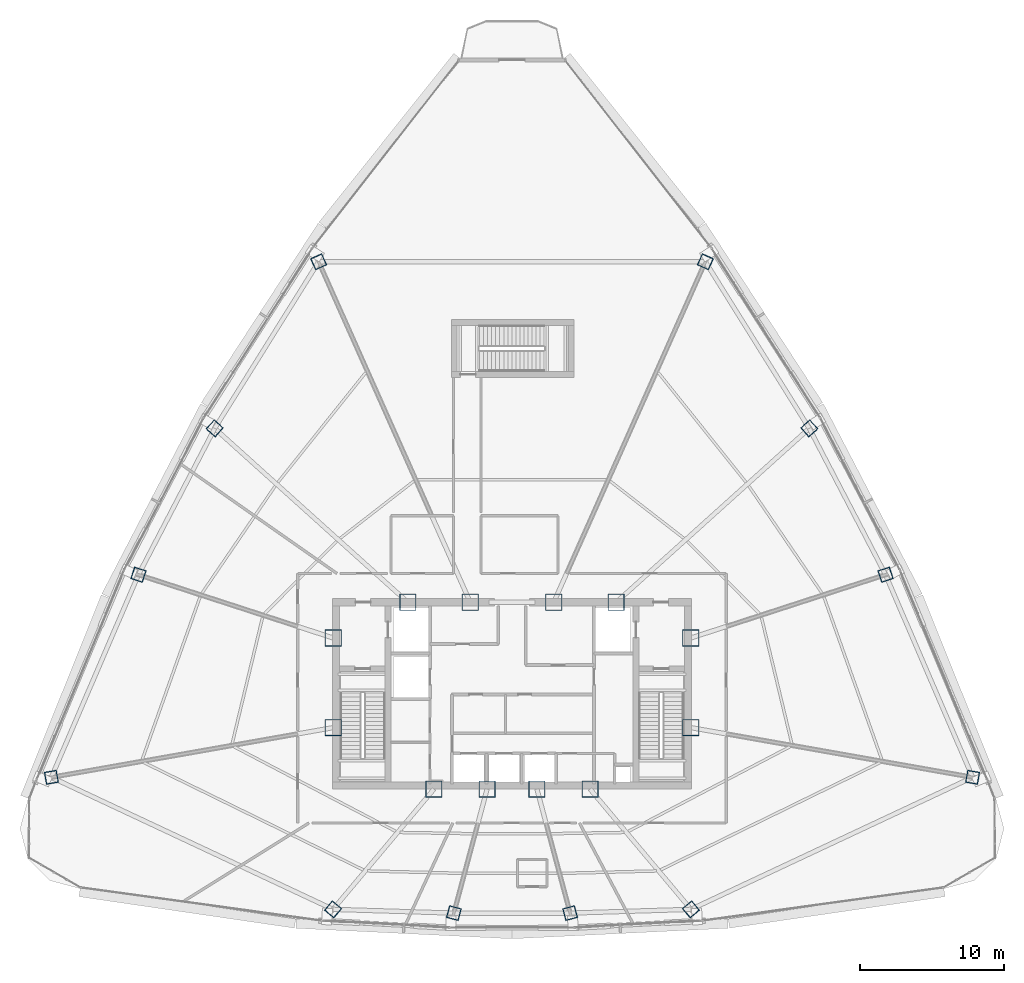
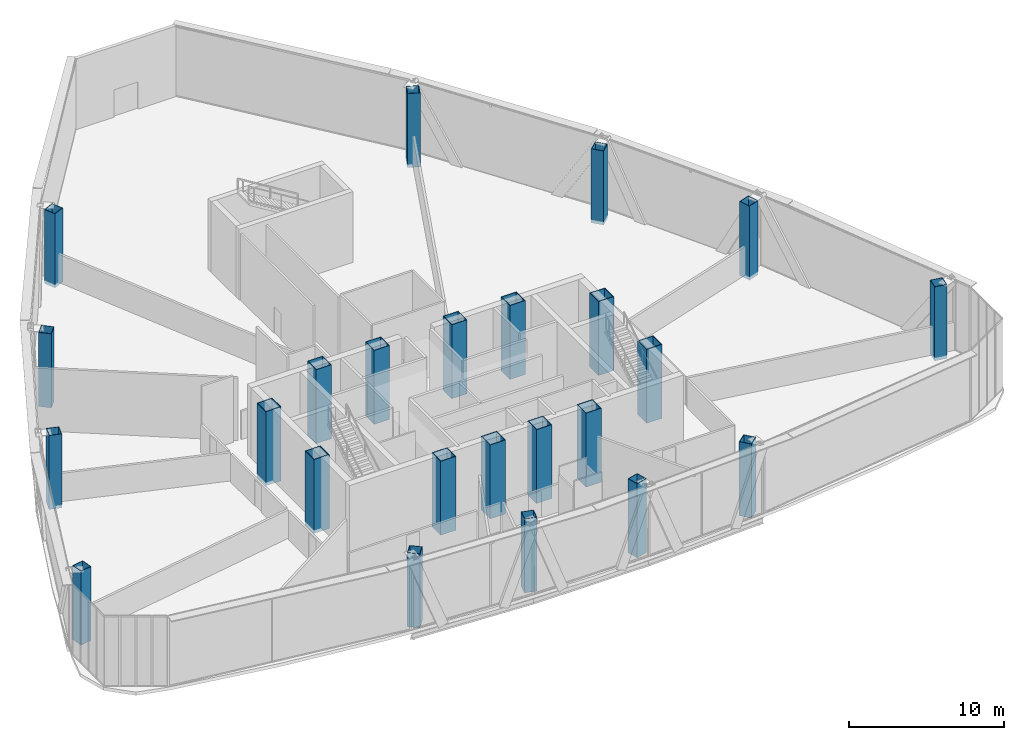
# One storey, part 1 of 38: 24 columns.
"""IFC4 building model written with IfcOpenShell, lengths in metres."""

from ifc_helpers import new_model, si_unit, direction, frame, origin, origin_2d, place, context, subcontext, project, spatial, hollow_rectangle, extrude, source, transform, mapped, material, material_profile, profile_set, type_object, element, save


model = new_model("IFC4")

# Units and contexts
model_context = context("Model", 3, precision=1e-05, world=origin(), true_north=direction((0.0, 1.0)))
body_context = subcontext(model_context, "Body", "Model", "MODEL_VIEW")
ifc_project = project(units=[si_unit("LENGTHUNIT", "METRE"), si_unit("AREAUNIT", "SQUARE_METRE"), si_unit("VOLUMEUNIT", "CUBIC_METRE"), si_unit("PLANEANGLEUNIT", "RADIAN"), si_unit("MASSUNIT", "GRAM", prefix="KILO"), si_unit("THERMODYNAMICTEMPERATUREUNIT", "KELVIN"), si_unit("POWERUNIT", "WATT")], contexts=[model_context])

# Site, building, storey
site_placement = place(None, origin())
site = spatial("IfcSite", under=ifc_project, at=site_placement, CompositionType="ELEMENT")
building_placement = place(site_placement, origin())
building = spatial("IfcBuilding", under=site, at=building_placement, Name="Yunzhuo Pagoda Commons", CompositionType="ELEMENT")
storey_placement = place(building_placement, frame((0.0, 0.0, 266.909912109375)))
storey = spatial("IfcBuildingStorey", under=building, at=storey_placement, Name="L67", CompositionType="ELEMENT", Elevation=266.909912109375)

# Columns
ifc_material_1 = material(Name="Structural steel Q420B", Category="steel")
ifc_material_profile_1 = material_profile(ifc_material_1, hollow_rectangle(XDim=1.14990234375, YDim=1.14990234375, WallThickness=0.048095703125, at=origin_2d()), Name="Structural steel Q420B")
ifc_profile_set_1 = profile_set([ifc_material_profile_1], Name="Structural steel Q420B")
column_type_1 = type_object("IfcColumnType", Name="C-COR Column BOX 1150x1150x48", PredefinedType="COLUMN", material=ifc_profile_set_1)
shared_shape_1 = source(origin(), body_context, "Body", "SweptSolid", [
    extrude(hollow_rectangle(XDim=1.14990234375, YDim=1.14990234375, WallThickness=0.048095703125, at=origin_2d()), origin(), (0.0, 0.0, 1.0), 5.830322265625),
])
for number, where, z_axis, x_axis, name in (
    (1, (42.587890625, 27.25, -0.260009765625), (0.0, 0.0, 1.0), (1.0, 0.0, 0.0), "L67 core composite column F1C1"),
    (2, (46.27197265625, 27.25, -0.260009765625), (0.0, 0.0, 1.0), (1.0, 0.0, 0.0), "L67 core composite column F1C2"),
    (3, (49.728515625, 27.25, -0.260009765625), (0.0, 0.0, 1.0), (1.0, 0.0, 0.0), "L67 core composite column F1C3"),
    (4, (53.412109375, 27.25, -0.260009765625), (0.0, 0.0, 1.0), (1.0, 0.0, 0.0), "L67 core composite column F1C4"),
    (5, (60.39990234375, 31.513427734375, -0.260009765625), (0.0, 0.0, 1.0), (1.0, 0.0, 0.0), "L67 core composite column F2C1"),
    (6, (60.39990234375, 37.72900390625, -0.260009765625), (0.0, 0.0, 1.0), (1.0, 0.0, 0.0), "L67 core composite column F2C2"),
    (7, (55.218994140625, 40.199951171875, -0.260009765625), (0.0, 0.0, 1.0), (1.0, 0.0, 0.0), "L67 core composite column F2C3"),
    (8, (50.89404296875, 40.199951171875, -0.260009765625), (0.0, 0.0, 1.0), (1.0, 0.0, 0.0), "L67 core composite column F2C4"),
    (9, (45.10595703125, 40.199951171875, -0.260009765625), (0.0, 0.0, 1.0), (1.0, 0.0, 0.0), "L67 core composite column F3C1"),
    (10, (40.781005859375, 40.199951171875, -0.260009765625), (0.0, 0.0, 1.0), (1.0, 0.0, 0.0), "L67 core composite column F3C2"),
    (11, (35.60009765625, 37.72900390625, -0.260009765625), (0.0, 0.0, 1.0), (1.0, 0.0, 0.0), "L67 core composite column F3C3"),
    (12, (35.60009765625, 31.513427734375, -0.260009765625), (0.0, 0.0, 1.0), (1.0, 0.0, 0.0), "L67 core composite column F3C4"),
):
    element("IfcColumn", number, at=place(storey_placement, frame(where, z_axis=z_axis, x_axis=x_axis)), inside=storey, type_object=column_type_1, Name=name, PredefinedType="COLUMN", context=body_context, shape_type="MappedRepresentation", body=[
        mapped(shared_shape_1, transform((0.0, 0.0, 0.0), scale=1.0)),
    ])
ifc_material_2 = material(Name="Structural steel Q355B", Category="steel")
ifc_material_profile_2 = material_profile(ifc_material_2, hollow_rectangle(XDim=0.85009765625, YDim=0.85009765625, WallThickness=0.033935546875, at=origin_2d()), Name="Structural steel Q355B")
ifc_profile_set_2 = profile_set([ifc_material_profile_2], Name="Structural steel Q355B")
column_type_2 = type_object("IfcColumnType", Name="C-Z5 Column BOX 850x850x34", PredefinedType="COLUMN", material=ifc_profile_set_2)
shared_shape_2 = source(origin(), body_context, "Body", "SweptSolid", [
    extrude(hollow_rectangle(XDim=0.85009765625, YDim=0.85009765625, WallThickness=0.033935546875, at=origin_2d()), origin(), (0.0, 0.0, 1.0), 5.830322265625),
])
for number, where, z_axis, x_axis, name in (
    (13, (35.593017578125, 18.913818359375, -0.260009765625), (0.0, 0.0, 1.0), (0.766044443119, -0.642787609687, 0.0), "L67 tower column F1C1"),
    (14, (43.968505859375, 18.654052734375, -0.260009765625), (0.0, 0.0, 1.0), (0.965925826289, -0.258819045103, 0.0), "L67 tower column F1C2"),
    (15, (52.031494140625, 18.654052734375, -0.260009765625), (0.0, 0.0, 1.0), (0.965925826289, 0.258819045103, 0.0), "L67 tower column F1C3"),
    (16, (60.406982421875, 18.913818359375, -0.260009765625), (0.0, 0.0, 1.0), (0.766044443119, 0.642787609687, 0.0), "L67 tower column F1C4"),
    (17, (79.93408203125, 28.069091796875, -0.260009765625), (0.0, 0.0, 1.0), (0.173648177667, 0.984807753012, 0.0), "L67 tower column F2C1"),
    (18, (73.898681640625, 42.114990234375, -0.260009765625), (0.0, 0.0, 1.0), (-0.309016994375, 0.951056516295, 0.0), "L67 tower column F2C2"),
    (19, (68.61181640625, 52.259033203125, -0.260009765625), (0.0, 0.0, 1.0), (-0.669130606359, 0.743144825477, 0.0), "L67 tower column F2C3"),
    (20, (61.40673828125, 63.81201171875, -0.260009765625), (0.0, 0.0, 1.0), (-0.913545457643, 0.406736643076, 0.0), "L67 tower column F2C4"),
    (21, (34.59326171875, 63.81201171875, -0.260009765625), (0.0, 0.0, 1.0), (-0.913545457643, -0.406736643076, 0.0), "L67 tower column F3C1"),
    (22, (27.38818359375, 52.259033203125, -0.260009765625), (0.0, 0.0, 1.0), (-0.669130606359, -0.743144825477, 0.0), "L67 tower column F3C2"),
    (23, (22.101806640625, 42.114990234375, -0.260009765625), (0.0, 0.0, 1.0), (-0.309016994375, -0.951056516295, 0.0), "L67 tower column F3C3"),
    (24, (16.06591796875, 28.069091796875, -0.260009765625), (0.0, 0.0, 1.0), (0.173648177667, -0.984807753012, 0.0), "L67 tower column F3C4"),
):
    element("IfcColumn", number, at=place(storey_placement, frame(where, z_axis=z_axis, x_axis=x_axis)), inside=storey, type_object=column_type_2, Name=name, PredefinedType="COLUMN", context=body_context, shape_type="MappedRepresentation", body=[
        mapped(shared_shape_2, transform((0.0, 0.0, 0.0), scale=1.0)),
    ])

save(model, "model.ifc")
